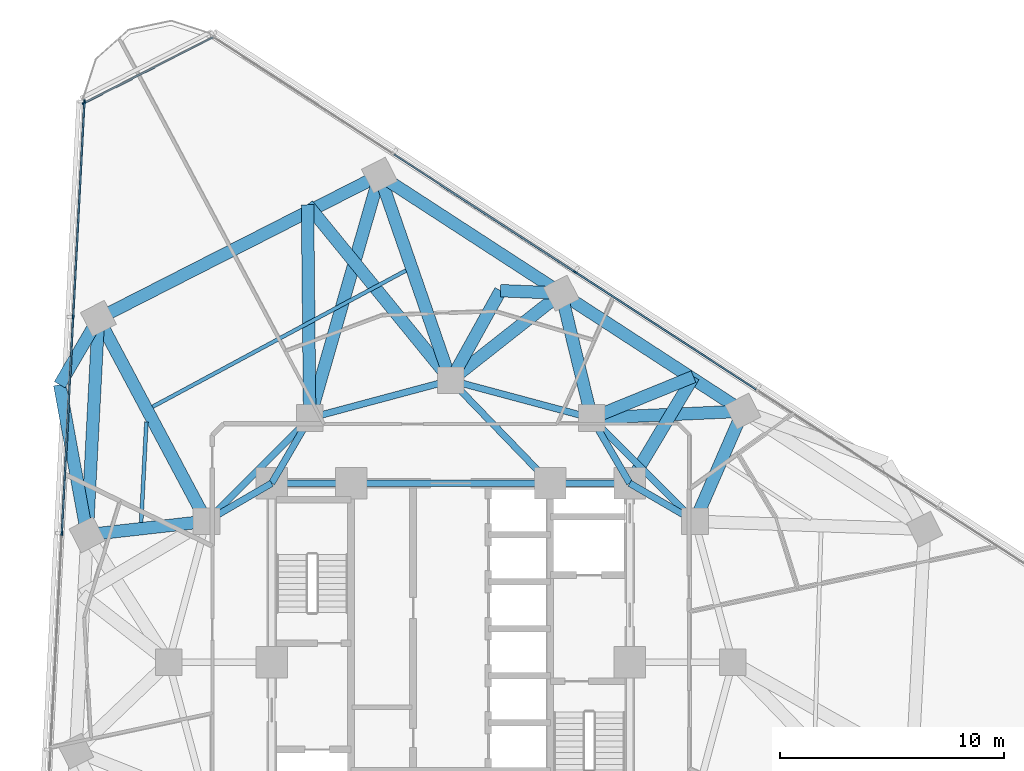
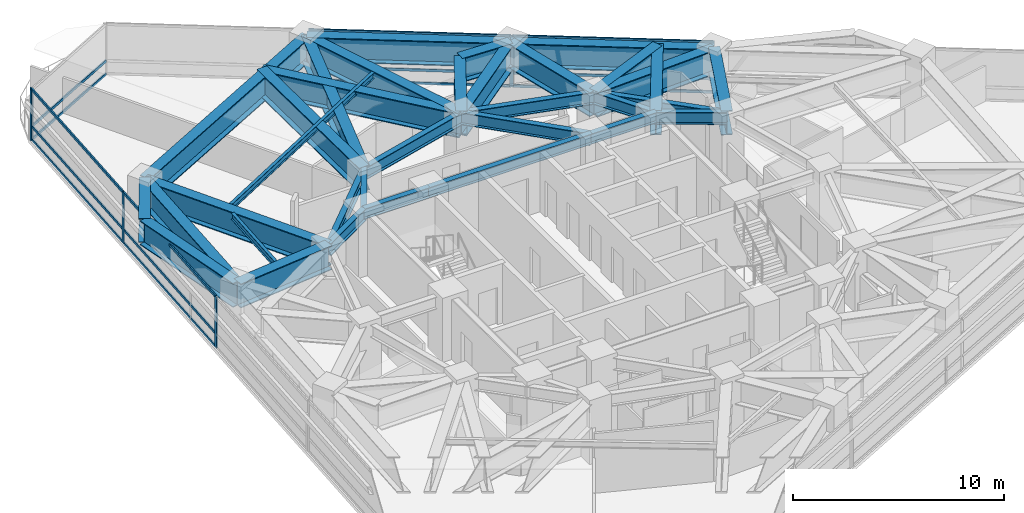
# One storey, part 5 of 15: 34 beams, 19 members, 3 elements without a shape of their own.
"""IFC4 building model written with IfcOpenShell, lengths in metres."""

from ifc_helpers import new_model, si_unit, direction, frame, origin, origin_2d, place, context, subcontext, project, spatial, rectangle, i_section, extrude, material, layer, layer_set, material_profile, profile_set, type_object, element, aggregate, save


model = new_model("IFC4")

# Units and contexts
model_context = context("Model", 3, precision=1e-05, world=origin(), true_north=direction((0.0, 1.0)))
body_context = subcontext(model_context, "Body", "Model", "MODEL_VIEW")
ifc_project = project(units=[si_unit("LENGTHUNIT", "METRE"), si_unit("AREAUNIT", "SQUARE_METRE"), si_unit("VOLUMEUNIT", "CUBIC_METRE"), si_unit("PLANEANGLEUNIT", "RADIAN"), si_unit("MASSUNIT", "GRAM", prefix="KILO")], contexts=[model_context])

# Site, building, storey
site_placement = place(None, origin())
site = spatial("IfcSite", under=ifc_project, at=site_placement, CompositionType="ELEMENT")
building_placement = place(site_placement, origin())
building = spatial("IfcBuilding", under=site, at=building_placement, Name="Terralouvre Media Tower", CompositionType="ELEMENT")
storey_placement = place(building_placement, frame((0.0, 0.0, 145.800048828125)))
storey = spatial("IfcBuildingStorey", under=building, at=storey_placement, Name="L37", CompositionType="ELEMENT", Elevation=145.800048828125)

# Beams
ifc_material_1 = material(Name="Structural steel S355J2", Category="steel")
ifc_material_profile_1 = material_profile(ifc_material_1, i_section(OverallWidth=0.169921875, OverallDepth=0.360107421875, WebThickness=0.008056640625, FlangeThickness=0.0126953125, at=origin_2d()), Name="IPE 360")
ifc_profile_set_1 = profile_set([ifc_material_profile_1], Name="Structural steel S355J2")
beam_type_1 = type_object("IfcBeamType", Name="Composite Floor Joist J-IPE360 (IPE 360)", PredefinedType="JOIST", material=ifc_profile_set_1)
beam_1_placement = place(storey_placement, frame((-1.99658203125, 17.507080078125, 3.280029296875), z_axis=(-0.880745901847, -0.473589121897, 0.0), x_axis=(0.473589121897, -0.880745901847, 0.0)))
element("IfcBeam", 1, at=beam_1_placement, inside=storey, type_object=beam_type_1, Name="L37 Framing Beam JT-L37-10", PredefinedType="JOIST", context=body_context, shape_type="SweptSolid", body=[
    extrude(i_section(OverallWidth=0.169921875, OverallDepth=0.360107421875, WebThickness=0.008056640625, FlangeThickness=0.0126953125, at=origin_2d()), origin(), (0.0, 0.0, 1.0), 12.85888671875),
])
beam_2_placement = place(storey_placement, frame((-13.59521484375, 10.745361328125, 3.280029296875), z_axis=(-0.05234246764, -0.998629193485, 0.0), x_axis=(0.998629193485, -0.05234246764, 0.0)))
element("IfcBeam", 2, at=beam_2_placement, inside=storey, type_object=beam_type_1, Name="L37 Framing Beam JT-L37-11", PredefinedType="JOIST", context=body_context, shape_type="SweptSolid", body=[
    extrude(i_section(OverallWidth=0.169921875, OverallDepth=0.360107421875, WebThickness=0.008056640625, FlangeThickness=0.0126953125, at=origin_2d()), origin(), (0.0, 0.0, 1.0), 4.5009765625),
])

# Curtain wall, members
ifc_material_2 = material(Name="Low-iron laminated double glazing with solar-control coating", Category="glass")
ifc_layer_1 = layer(ifc_material_2, 0.1650390625, Name="Production Studio Tower Curtain Wall CW-03")
ifc_layer_set_1 = layer_set([ifc_layer_1], Name="Low-iron laminated double glazing with solar-control coating")
curtain_wall_type_1 = type_object("IfcCurtainWallType", Name="Production Studio Tower Curtain Wall CW-03", PredefinedType="NOTDEFINED", material=ifc_layer_set_1)
curtain_wall_1_placement = place(storey_placement, origin())
curtain_wall_1 = element("IfcCurtainWall", 3, at=curtain_wall_1_placement, inside=storey, type_object=curtain_wall_type_1, Name="L37 Facade Curtain Wall F1", PredefinedType="NOTDEFINED")
ifc_material_3 = material(Name="Anodised extruded aluminium 6063-T6", Category="aluminium")
ifc_material_profile_2 = material_profile(ifc_material_3, rectangle(XDim=0.074951171875, YDim=0.14990234375, at=origin_2d()), Name="ALU 75x150")
ifc_profile_set_2 = profile_set([ifc_material_profile_2], Name="Anodised extruded aluminium 6063-T6")
member_type_1 = type_object("IfcMemberType", Name="Curtain-Wall Horizontal Transom TR-150", PredefinedType="USERDEFINED", material=ifc_profile_set_2)
member_1_placement = place(storey_placement, frame((13.6416015625, 12.1884765625, 0.037353515625), z_axis=(-0.838672931076, 0.544635396095, 0.0), x_axis=(-0.544635396095, -0.838672931076, 0.0)))
member_1 = element("IfcMember", 4, at=member_1_placement, type_object=member_type_1, Name="CW-03 transom 3.1", ObjectType="TRANSOM", PredefinedType="USERDEFINED", context=body_context, shape_type="SweptSolid", body=[
    extrude(rectangle(XDim=0.074951171875, YDim=0.14990234375, at=origin_2d()), origin(), (0.0, 0.0, 1.0), 9.60498046875),
])
member_2_placement = place(storey_placement, frame((13.6416015625, 12.1884765625, 0.800048828125), z_axis=(-0.838672931076, 0.544635396095, 0.0), x_axis=(-0.544635396095, -0.838672931076, 0.0)))
member_2 = element("IfcMember", 5, at=member_2_placement, type_object=member_type_1, Name="CW-03 transom 3.2", ObjectType="TRANSOM", PredefinedType="USERDEFINED", context=body_context, shape_type="SweptSolid", body=[
    extrude(rectangle(XDim=0.074951171875, YDim=0.14990234375, at=origin_2d()), origin(), (0.0, 0.0, 1.0), 9.60498046875),
])
member_3_placement = place(storey_placement, frame((13.6416015625, 12.1884765625, 2.92236328125), z_axis=(-0.838672931076, 0.544635396095, 0.0), x_axis=(-0.544635396095, -0.838672931076, 0.0)))
member_3 = element("IfcMember", 6, at=member_3_placement, type_object=member_type_1, Name="CW-03 transom 3.3", ObjectType="TRANSOM", PredefinedType="USERDEFINED", context=body_context, shape_type="SweptSolid", body=[
    extrude(rectangle(XDim=0.074951171875, YDim=0.14990234375, at=origin_2d()), origin(), (0.0, 0.0, 1.0), 9.60498046875),
])
member_4_placement = place(storey_placement, frame((5.523193359375, 17.460693359375, 0.037353515625), z_axis=(-0.838672931076, 0.544635396095, 0.0), x_axis=(-0.544635396095, -0.838672931076, 0.0)))
member_4 = element("IfcMember", 7, at=member_4_placement, type_object=member_type_1, Name="CW-03 transom 4.1", ObjectType="TRANSOM", PredefinedType="USERDEFINED", context=body_context, shape_type="SweptSolid", body=[
    extrude(rectangle(XDim=0.074951171875, YDim=0.14990234375, at=origin_2d()), origin(), (0.0, 0.0, 1.0), 9.60498046875),
])
member_5_placement = place(storey_placement, frame((5.523193359375, 17.460693359375, 0.800048828125), z_axis=(-0.838672931076, 0.544635396095, 0.0), x_axis=(-0.544635396095, -0.838672931076, 0.0)))
member_5 = element("IfcMember", 8, at=member_5_placement, type_object=member_type_1, Name="CW-03 transom 4.2", ObjectType="TRANSOM", PredefinedType="USERDEFINED", context=body_context, shape_type="SweptSolid", body=[
    extrude(rectangle(XDim=0.074951171875, YDim=0.14990234375, at=origin_2d()), origin(), (0.0, 0.0, 1.0), 9.60498046875),
])
member_6_placement = place(storey_placement, frame((5.523193359375, 17.460693359375, 2.92236328125), z_axis=(-0.838672931076, 0.544635396095, 0.0), x_axis=(-0.544635396095, -0.838672931076, 0.0)))
member_6 = element("IfcMember", 9, at=member_6_placement, type_object=member_type_1, Name="CW-03 transom 4.3", ObjectType="TRANSOM", PredefinedType="USERDEFINED", context=body_context, shape_type="SweptSolid", body=[
    extrude(rectangle(XDim=0.074951171875, YDim=0.14990234375, at=origin_2d()), origin(), (0.0, 0.0, 1.0), 9.60498046875),
])

curtain_wall_2_placement = place(storey_placement, origin())
curtain_wall_2 = element("IfcCurtainWall", 10, at=curtain_wall_2_placement, inside=storey, type_object=curtain_wall_type_1, Name="L37 Facade Curtain Wall F2", PredefinedType="NOTDEFINED")
member_7_placement = place(storey_placement, frame((-16.364990234375, 25.015869140625, 0.037353515625), z_axis=(-0.052336504837, -0.998629506004, 0.0), x_axis=(0.998629506004, -0.052336504837, 0.0)))
member_7 = element("IfcMember", 11, at=member_7_placement, type_object=member_type_1, Name="CW-03 transom 1.1", ObjectType="TRANSOM", PredefinedType="USERDEFINED", context=body_context, shape_type="SweptSolid", body=[
    extrude(rectangle(XDim=0.074951171875, YDim=0.14990234375, at=origin_2d()), origin(), (0.0, 0.0, 1.0), 9.567626953125),
])
member_8_placement = place(storey_placement, frame((-16.364990234375, 25.015869140625, 0.800048828125), z_axis=(-0.052336504837, -0.998629506004, 0.0), x_axis=(0.998629506004, -0.052336504837, 0.0)))
member_8 = element("IfcMember", 12, at=member_8_placement, type_object=member_type_1, Name="CW-03 transom 1.2", ObjectType="TRANSOM", PredefinedType="USERDEFINED", context=body_context, shape_type="SweptSolid", body=[
    extrude(rectangle(XDim=0.074951171875, YDim=0.14990234375, at=origin_2d()), origin(), (0.0, 0.0, 1.0), 9.567626953125),
])
member_9_placement = place(storey_placement, frame((-16.364990234375, 25.015869140625, 2.92236328125), z_axis=(-0.052336504837, -0.998629506004, 0.0), x_axis=(0.998629506004, -0.052336504837, 0.0)))
member_9 = element("IfcMember", 13, at=member_9_placement, type_object=member_type_1, Name="CW-03 transom 1.3", ObjectType="TRANSOM", PredefinedType="USERDEFINED", context=body_context, shape_type="SweptSolid", body=[
    extrude(rectangle(XDim=0.074951171875, YDim=0.14990234375, at=origin_2d()), origin(), (0.0, 0.0, 1.0), 9.567626953125),
])
member_10_placement = place(storey_placement, frame((-16.86962890625, 15.386474609375, 0.037353515625), z_axis=(-0.052336036535, -0.998629530547, 0.0), x_axis=(0.998629530547, -0.052336036535, 0.0)))
member_10 = element("IfcMember", 14, at=member_10_placement, type_object=member_type_1, Name="CW-03 transom 2.1", ObjectType="TRANSOM", PredefinedType="USERDEFINED", context=body_context, shape_type="SweptSolid", body=[
    extrude(rectangle(XDim=0.074951171875, YDim=0.14990234375, at=origin_2d()), origin(), (0.0, 0.0, 1.0), 9.60498046875),
])
member_11_placement = place(storey_placement, frame((-16.86962890625, 15.386474609375, 0.800048828125), z_axis=(-0.052336036535, -0.998629530547, 0.0), x_axis=(0.998629530547, -0.052336036535, 0.0)))
member_11 = element("IfcMember", 15, at=member_11_placement, type_object=member_type_1, Name="CW-03 transom 2.2", ObjectType="TRANSOM", PredefinedType="USERDEFINED", context=body_context, shape_type="SweptSolid", body=[
    extrude(rectangle(XDim=0.074951171875, YDim=0.14990234375, at=origin_2d()), origin(), (0.0, 0.0, 1.0), 9.60498046875),
])
member_12_placement = place(storey_placement, frame((-16.86962890625, 15.386474609375, 2.92236328125), z_axis=(-0.052336036535, -0.998629530547, 0.0), x_axis=(0.998629530547, -0.052336036535, 0.0)))
member_12 = element("IfcMember", 16, at=member_12_placement, type_object=member_type_1, Name="CW-03 transom 2.3", ObjectType="TRANSOM", PredefinedType="USERDEFINED", context=body_context, shape_type="SweptSolid", body=[
    extrude(rectangle(XDim=0.074951171875, YDim=0.14990234375, at=origin_2d()), origin(), (0.0, 0.0, 1.0), 9.60498046875),
])

ifc_material_4 = material(Name="Low-iron laminated double glazing with solar-control coating", Category="glass")
ifc_layer_2 = layer(ifc_material_4, 0.1650390625, Name="Rounded Wind-Corner Curved Glazing CW-04")
ifc_layer_set_2 = layer_set([ifc_layer_2], Name="Low-iron laminated double glazing with solar-control coating")
curtain_wall_type_2 = type_object("IfcCurtainWallType", Name="Rounded Wind-Corner Curved Glazing CW-04", PredefinedType="NOTDEFINED", material=ifc_layer_set_2)
curtain_wall_3_placement = place(storey_placement, origin())
curtain_wall_3 = element("IfcCurtainWall", 17, at=curtain_wall_3_placement, inside=storey, type_object=curtain_wall_type_2, Name="L37 Rounded Wind-Corner Curtain Wall C2", PredefinedType="NOTDEFINED")
member_13_placement = place(storey_placement, frame((-10.619873046875, 27.92626953125, 0.037353515625), z_axis=(-0.891007919555, -0.453987761167, 0.0), x_axis=(0.453987761167, -0.891007919555, 0.0)))
member_13 = element("IfcMember", 18, at=member_13_placement, type_object=member_type_1, Name="CW-04 transom 1.1", ObjectType="TRANSOM", PredefinedType="USERDEFINED", context=body_context, shape_type="SweptSolid", body=[
    extrude(rectangle(XDim=0.074951171875, YDim=0.14990234375, at=origin_2d()), origin(), (0.0, 0.0, 1.0), 6.431640625),
])
member_14_placement = place(storey_placement, frame((-10.619873046875, 27.92626953125, 0.800048828125), z_axis=(-0.891007919555, -0.453987761167, 0.0), x_axis=(0.453987761167, -0.891007919555, 0.0)))
member_14 = element("IfcMember", 19, at=member_14_placement, type_object=member_type_1, Name="CW-04 transom 1.2", ObjectType="TRANSOM", PredefinedType="USERDEFINED", context=body_context, shape_type="SweptSolid", body=[
    extrude(rectangle(XDim=0.074951171875, YDim=0.14990234375, at=origin_2d()), origin(), (0.0, 0.0, 1.0), 6.431640625),
])

# Member
ifc_material_5 = material(Name="Anodised extruded aluminium 6063-T6", Category="aluminium")
ifc_material_profile_3 = material_profile(ifc_material_5, rectangle(XDim=0.074951171875, YDim=0.179931640625, at=origin_2d()), Name="ALU 75x180")
ifc_profile_set_3 = profile_set([ifc_material_profile_3], Name="Anodised extruded aluminium 6063-T6")
member_type_2 = type_object("IfcMemberType", Name="Curtain-Wall Vertical Mullion ML-180", PredefinedType="MULLION", material=ifc_profile_set_3)
member_15_placement = place(storey_placement, frame((5.5546875, 17.440185546875, 0.0), z_axis=(0.0, 0.0, 1.0), x_axis=(-0.544639002681, -0.838670588944, 0.0)))
member_15 = element("IfcMember", 20, at=member_15_placement, type_object=member_type_2, Name="CW-03 mullion 4", PredefinedType="MULLION", context=body_context, shape_type="SweptSolid", body=[
    extrude(rectangle(XDim=0.074951171875, YDim=0.179931640625, at=origin_2d()), origin(), (0.0, 0.0, 1.0), 2.9599609375),
])

aggregate(curtain_wall_1, [member_15, member_1, member_2, member_3, member_4, member_5, member_6])

member_16_placement = place(storey_placement, frame((-16.363037109375, 25.05322265625, 0.0), z_axis=(0.0, 0.0, 1.0), x_axis=(0.998629535089, -0.052335949864, 0.0)))
member_16 = element("IfcMember", 21, at=member_16_placement, type_object=member_type_2, Name="CW-03 mullion 1", PredefinedType="MULLION", context=body_context, shape_type="SweptSolid", body=[
    extrude(rectangle(XDim=0.074951171875, YDim=0.179931640625, at=origin_2d()), origin(), (0.0, 0.0, 1.0), 2.9599609375),
])

member_17_placement = place(storey_placement, frame((-16.86767578125, 15.423828125, 0.0), z_axis=(0.0, 0.0, 1.0), x_axis=(0.998629535089, -0.052335949864, 0.0)))
member_17 = element("IfcMember", 22, at=member_17_placement, type_object=member_type_2, Name="CW-03 mullion 2", PredefinedType="MULLION", context=body_context, shape_type="SweptSolid", body=[
    extrude(rectangle(XDim=0.074951171875, YDim=0.179931640625, at=origin_2d()), origin(), (0.0, 0.0, 1.0), 2.9599609375),
])

member_18_placement = place(storey_placement, frame((-17.374267578125, 5.757080078125, 0.0), z_axis=(0.0, 0.0, 1.0), x_axis=(0.998629535089, -0.052335949864, 0.0)))
member_18 = element("IfcMember", 23, at=member_18_placement, type_object=member_type_2, Name="CW-03 mullion 3", PredefinedType="MULLION", context=body_context, shape_type="SweptSolid", body=[
    extrude(rectangle(XDim=0.074951171875, YDim=0.179931640625, at=origin_2d()), origin(), (0.0, 0.0, 1.0), 2.9599609375),
])

aggregate(curtain_wall_2, [member_16, member_17, member_18, member_7, member_8, member_9, member_10, member_11, member_12])

member_19_placement = place(storey_placement, frame((-16.384033203125, 24.9892578125, 0.0), z_axis=(0.0, 0.0, 1.0), x_axis=(0.45399035059, -0.891006600184, 0.0)))
member_19 = element("IfcMember", 24, at=member_19_placement, type_object=member_type_2, Name="CW-04 mullion 2", PredefinedType="MULLION", context=body_context, shape_type="SweptSolid", body=[
    extrude(rectangle(XDim=0.074951171875, YDim=0.179931640625, at=origin_2d()), origin(), (0.0, 0.0, 1.0), 2.9599609375),
])

aggregate(curtain_wall_3, [member_19, member_13, member_14])

# Beams
ifc_material_6 = material(Name="Structural steel S460M", Category="steel")
ifc_material_profile_4 = material_profile(ifc_material_6, i_section(OverallWidth=0.300048828125, OverallDepth=0.60009765625, WebThickness=0.015380859375, FlangeThickness=0.030029296875, at=origin_2d()), Name="HEB 600")
ifc_profile_set_4 = profile_set([ifc_material_profile_4], Name="Structural steel S460M")
beam_type_2 = type_object("IfcBeamType", Name="Primary Floor Girder B-HEB600 (HEB 600)", PredefinedType="BEAM", material=ifc_profile_set_4)
beam_3_placement = place(storey_placement, frame((8.0, 8.0, 3.159912109375), z_axis=(-1.0, 0.0, 0.0), x_axis=(0.0, -1.0, 0.0)))
element("IfcBeam", 25, at=beam_3_placement, inside=storey, type_object=beam_type_2, Name="L37 Framing Beam BM-L37-CPR06", PredefinedType="BEAM", context=body_context, shape_type="SweptSolid", body=[
    extrude(i_section(OverallWidth=0.300048828125, OverallDepth=0.60009765625, WebThickness=0.015380859375, FlangeThickness=0.030029296875, at=origin_2d()), origin(), (0.0, 0.0, 1.0), 3.550048828125),
])
beam_4_placement = place(storey_placement, frame((4.449951171875, 8.0, 3.159912109375), z_axis=(-1.0, 0.0, 0.0), x_axis=(0.0, -1.0, 0.0)))
element("IfcBeam", 26, at=beam_4_placement, inside=storey, type_object=beam_type_2, Name="L37 Framing Beam BM-L37-CPR07", PredefinedType="BEAM", context=body_context, shape_type="SweptSolid", body=[
    extrude(i_section(OverallWidth=0.300048828125, OverallDepth=0.60009765625, WebThickness=0.015380859375, FlangeThickness=0.030029296875, at=origin_2d()), origin(), (0.0, 0.0, 1.0), 8.89990234375),
])
beam_5_placement = place(storey_placement, frame((-4.449951171875, 8.0, 3.159912109375), z_axis=(-1.0, 0.0, 0.0), x_axis=(0.0, -1.0, 0.0)))
element("IfcBeam", 27, at=beam_5_placement, inside=storey, type_object=beam_type_2, Name="L37 Framing Beam BM-L37-CPR08", PredefinedType="BEAM", context=body_context, shape_type="SweptSolid", body=[
    extrude(i_section(OverallWidth=0.300048828125, OverallDepth=0.60009765625, WebThickness=0.015380859375, FlangeThickness=0.030029296875, at=origin_2d()), origin(), (0.0, 0.0, 1.0), 3.550048828125),
])
ifc_material_7 = material(Name="Structural steel S460M", Category="steel")
ifc_material_profile_5 = material_profile(ifc_material_7, i_section(OverallWidth=0.300048828125, OverallDepth=0.699951171875, WebThickness=0.01708984375, FlangeThickness=0.031982421875, at=origin_2d()), Name="HEB 700")
ifc_profile_set_5 = profile_set([ifc_material_profile_5], Name="Structural steel S460M")
beam_type_3 = type_object("IfcBeamType", Name="Primary Floor Girder B-HEB700 (HEB 700)", PredefinedType="BEAM", material=ifc_profile_set_5)
beam_6_placement = place(storey_placement, frame((10.911865234375, 6.300048828125, 3.10986328125), z_axis=(-0.707106781187, 0.707106781187, 0.0), x_axis=(-0.707106781187, -0.707106781187, 0.0)))
element("IfcBeam", 28, at=beam_6_placement, inside=storey, type_object=beam_type_3, Name="L37 Framing Beam BM-L37-MR07", PredefinedType="BEAM", context=body_context, shape_type="SweptSolid", body=[
    extrude(i_section(OverallWidth=0.300048828125, OverallDepth=0.699951171875, WebThickness=0.01708984375, FlangeThickness=0.031982421875, at=origin_2d()), origin(), (0.0, 0.0, 1.0), 6.52197265625),
])
for number, where, z_axis, x_axis, name in (
    (29, (6.300048828125, 10.911865234375, 3.10986328125), (-0.965920481897, 0.258838989821, 0.0), (-0.258838989821, -0.965920481897, 0.0), "L37 Framing Beam BM-L37-MR08"),
    (30, (0.0, 12.60009765625, 3.10986328125), (-0.965920481897, -0.258838989821, 0.0), (0.258838989821, -0.965920481897, 0.0), "L37 Framing Beam BM-L37-MR09"),
):
    element("IfcBeam", number, at=place(storey_placement, frame(where, z_axis=z_axis, x_axis=x_axis)), inside=storey, type_object=beam_type_3, Name=name, PredefinedType="BEAM", context=body_context, shape_type="SweptSolid", body=[
        extrude(i_section(OverallWidth=0.300048828125, OverallDepth=0.699951171875, WebThickness=0.01708984375, FlangeThickness=0.031982421875, at=origin_2d()), origin(), (0.0, 0.0, 1.0), 6.522216796875),
    ])
beam_7_placement = place(storey_placement, frame((-6.300048828125, 10.911865234375, 3.10986328125), z_axis=(-0.707106781187, -0.707106781187, 0.0), x_axis=(0.707106781187, -0.707106781187, 0.0)))
element("IfcBeam", 31, at=beam_7_placement, inside=storey, type_object=beam_type_3, Name="L37 Framing Beam BM-L37-MR10", PredefinedType="BEAM", context=body_context, shape_type="SweptSolid", body=[
    extrude(i_section(OverallWidth=0.300048828125, OverallDepth=0.699951171875, WebThickness=0.01708984375, FlangeThickness=0.031982421875, at=origin_2d()), origin(), (0.0, 0.0, 1.0), 6.52197265625),
])
for number, where, z_axis, x_axis, name in (
    (32, (8.0, 8.0, 3.10986328125), (0.863602894532, -0.504172629717, 0.0), (0.504172629717, 0.863602894532, 0.0), "L37 Framing Beam BM-L37-CM07"),
    (33, (8.0, 8.0, 3.10986328125), (-0.504172629717, 0.863602894532, 0.0), (-0.863602894532, -0.504172629717, 0.0), "L37 Framing Beam BM-L37-CM08"),
):
    element("IfcBeam", number, at=place(storey_placement, frame(where, z_axis=z_axis, x_axis=x_axis)), inside=storey, type_object=beam_type_3, Name=name, PredefinedType="BEAM", context=body_context, shape_type="SweptSolid", body=[
        extrude(i_section(OverallWidth=0.300048828125, OverallDepth=0.699951171875, WebThickness=0.01708984375, FlangeThickness=0.031982421875, at=origin_2d()), origin(), (0.0, 0.0, 1.0), 3.371826171875),
    ])
beam_8_placement = place(storey_placement, frame((4.449951171875, 8.0, 3.10986328125), z_axis=(-0.695279715726, 0.718739255155, 0.0), x_axis=(-0.718739255155, -0.695279715726, 0.0)))
element("IfcBeam", 34, at=beam_8_placement, inside=storey, type_object=beam_type_3, Name="L37 Framing Beam BM-L37-CM09", PredefinedType="BEAM", context=body_context, shape_type="SweptSolid", body=[
    extrude(i_section(OverallWidth=0.300048828125, OverallDepth=0.699951171875, WebThickness=0.01708984375, FlangeThickness=0.031982421875, at=origin_2d()), origin(), (0.0, 0.0, 1.0), 6.400146484375),
])
for number, where, z_axis, x_axis, name in (
    (35, (-8.0, 8.0, 3.10986328125), (0.504172629717, 0.863602894532, 0.0), (-0.863602894532, 0.504172629717, 0.0), "L37 Framing Beam BM-L37-CM10"),
    (36, (-8.0, 8.0, 3.10986328125), (-0.863602894532, -0.504172629717, 0.0), (0.504172629717, -0.863602894532, 0.0), "L37 Framing Beam BM-L37-CM11"),
):
    element("IfcBeam", number, at=place(storey_placement, frame(where, z_axis=z_axis, x_axis=x_axis)), inside=storey, type_object=beam_type_3, Name=name, PredefinedType="BEAM", context=body_context, shape_type="SweptSolid", body=[
        extrude(i_section(OverallWidth=0.300048828125, OverallDepth=0.699951171875, WebThickness=0.01708984375, FlangeThickness=0.031982421875, at=origin_2d()), origin(), (0.0, 0.0, 1.0), 3.371826171875),
    ])
ifc_material_8 = material(Name="Structural steel S460M", Category="steel")
ifc_material_profile_6 = material_profile(ifc_material_8, i_section(OverallWidth=0.56005859375, OverallDepth=1.39990234375, WebThickness=0.031982421875, FlangeThickness=0.050048828125, at=origin_2d()), Name="TG 1400x560")
ifc_profile_set_6 = profile_set([ifc_material_profile_6], Name="Structural steel S460M")
beam_type_4 = type_object("IfcBeamType", Name="Welded Transfer Girder TG-1400 (TG 1400x560)", PredefinedType="USERDEFINED", material=ifc_profile_set_6)
for number, where, z_axis, x_axis, name in (
    (37, (13.0576171875, 11.220458984375, 2.760009765625), (-0.838679216118, 0.544625717765, 0.0), (-0.544625717765, -0.838679216118, 0.0), "L37 Framing Beam BM-L37-PR08"),
    (38, (4.939208984375, 16.492431640625, 2.760009765625), (-0.838660214263, 0.544654977956, 0.0), (-0.544654977956, -0.838660214263, 0.0), "L37 Framing Beam BM-L37-PR09"),
):
    element("IfcBeam", number, at=place(storey_placement, frame(where, z_axis=z_axis, x_axis=x_axis)), inside=storey, type_object=beam_type_4, Name=name, ObjectType="TRANSFER GIRDER", PredefinedType="USERDEFINED", context=body_context, shape_type="SweptSolid", body=[
        extrude(i_section(OverallWidth=0.56005859375, OverallDepth=1.39990234375, WebThickness=0.031982421875, FlangeThickness=0.050048828125, at=origin_2d()), origin(), (0.0, 0.0, 1.0), 9.679931640625),
    ])
beam_9_placement = place(storey_placement, frame((-3.178955078125, 21.7646484375, 2.760009765625), z_axis=(-0.891003412269, -0.453996607173, 0.0), x_axis=(0.453996607173, -0.891003412269, 0.0)))
element("IfcBeam", 39, at=beam_9_placement, inside=storey, type_object=beam_type_4, Name="L37 Framing Beam BM-L37-PR10", ObjectType="TRANSFER GIRDER", PredefinedType="USERDEFINED", context=body_context, shape_type="SweptSolid", body=[
    extrude(i_section(OverallWidth=0.56005859375, OverallDepth=1.39990234375, WebThickness=0.031982421875, FlangeThickness=0.050048828125, at=origin_2d()), origin(), (0.0, 0.0, 1.0), 14.096923828125),
])
beam_10_placement = place(storey_placement, frame((-15.7392578125, 15.36474609375, 2.760009765625), z_axis=(-0.052333792648, -0.998629648141, 0.0), x_axis=(0.998629648141, -0.052333792648, 0.0)))
element("IfcBeam", 40, at=beam_10_placement, inside=storey, type_object=beam_type_4, Name="L37 Framing Beam BM-L37-PR11", ObjectType="TRANSFER GIRDER", PredefinedType="USERDEFINED", context=body_context, shape_type="SweptSolid", body=[
    extrude(i_section(OverallWidth=0.56005859375, OverallDepth=1.39990234375, WebThickness=0.031982421875, FlangeThickness=0.050048828125, at=origin_2d()), origin(), (0.0, 0.0, 1.0), 9.679931640625),
])
beam_11_placement = place(storey_placement, frame((10.911865234375, 6.300048828125, 2.760009765625), z_axis=(0.39973535277, 0.916630595031, 0.0), x_axis=(-0.916630595031, 0.39973535277, 0.0)))
element("IfcBeam", 41, at=beam_11_placement, inside=storey, type_object=beam_type_4, Name="L37 Framing Beam BM-L37-RD08", ObjectType="TRANSFER GIRDER", PredefinedType="USERDEFINED", context=body_context, shape_type="SweptSolid", body=[
    extrude(i_section(OverallWidth=0.56005859375, OverallDepth=1.39990234375, WebThickness=0.031982421875, FlangeThickness=0.050048828125, at=origin_2d()), origin(), (0.0, 0.0, 1.0), 5.367919921875),
])
beam_12_placement = place(storey_placement, frame((6.300048828125, 10.911865234375, 2.760009765625), z_axis=(-0.23691117125, 0.971531315469, 0.0), x_axis=(-0.971531315469, -0.23691117125, 0.0)))
element("IfcBeam", 42, at=beam_12_placement, inside=storey, type_object=beam_type_4, Name="L37 Framing Beam BM-L37-RD09", ObjectType="TRANSFER GIRDER", PredefinedType="USERDEFINED", context=body_context, shape_type="SweptSolid", body=[
    extrude(i_section(OverallWidth=0.56005859375, OverallDepth=1.39990234375, WebThickness=0.031982421875, FlangeThickness=0.050048828125, at=origin_2d()), origin(), (0.0, 0.0, 1.0), 5.744140625),
])
beam_13_placement = place(storey_placement, frame((0.0, 12.60009765625, 2.760009765625), z_axis=(-0.327719061781, 0.944775220116, 0.0), x_axis=(-0.944775220116, -0.327719061781, 0.0)))
element("IfcBeam", 43, at=beam_13_placement, inside=storey, type_object=beam_type_4, Name="L37 Framing Beam BM-L37-RD10", ObjectType="TRANSFER GIRDER", PredefinedType="USERDEFINED", context=body_context, shape_type="SweptSolid", body=[
    extrude(i_section(OverallWidth=0.56005859375, OverallDepth=1.39990234375, WebThickness=0.031982421875, FlangeThickness=0.050048828125, at=origin_2d()), origin(), (0.0, 0.0, 1.0), 9.7001953125),
])
beam_14_placement = place(storey_placement, frame((-10.911865234375, 6.300048828125, 2.760009765625), z_axis=(-0.470048953024, 0.882640346778, 0.0), x_axis=(-0.882640346778, -0.470048953024, 0.0)))
element("IfcBeam", 44, at=beam_14_placement, inside=storey, type_object=beam_type_4, Name="L37 Framing Beam BM-L37-RD11", ObjectType="TRANSFER GIRDER", PredefinedType="USERDEFINED", context=body_context, shape_type="SweptSolid", body=[
    extrude(i_section(OverallWidth=0.56005859375, OverallDepth=1.39990234375, WebThickness=0.031982421875, FlangeThickness=0.050048828125, at=origin_2d()), origin(), (0.0, 0.0, 1.0), 10.27001953125),
])
beam_15_placement = place(storey_placement, frame((-10.911865234375, 6.300048828125, 2.760009765625), z_axis=(-0.993690322099, -0.112158565283, 0.0), x_axis=(0.112158565283, -0.993690322099, 0.0)))
element("IfcBeam", 45, at=beam_15_placement, inside=storey, type_object=beam_type_4, Name="L37 Framing Beam BM-L37-RD12", ObjectType="TRANSFER GIRDER", PredefinedType="USERDEFINED", context=body_context, shape_type="SweptSolid", body=[
    extrude(i_section(OverallWidth=0.56005859375, OverallDepth=1.39990234375, WebThickness=0.031982421875, FlangeThickness=0.050048828125, at=origin_2d()), origin(), (0.0, 0.0, 1.0), 5.367919921875),
])
beam_16_placement = place(storey_placement, frame((13.0576171875, 11.220458984375, 2.760009765625), z_axis=(-0.998958918463, -0.045618847247, 0.0), x_axis=(0.045618847247, -0.998958918463, 0.0)))
element("IfcBeam", 46, at=beam_16_placement, inside=storey, type_object=beam_type_4, Name="L37 Framing Beam BM-L37-TRC06", ObjectType="TRANSFER GIRDER", PredefinedType="USERDEFINED", context=body_context, shape_type="SweptSolid", body=[
    extrude(i_section(OverallWidth=0.56005859375, OverallDepth=1.39990234375, WebThickness=0.031982421875, FlangeThickness=0.050048828125, at=origin_2d()), origin(), (0.0, 0.0, 1.0), 6.7646484375),
])
beam_17_placement = place(storey_placement, frame((10.850341796875, 12.765869140625, 2.760009765625), z_axis=(-0.926079498884, -0.377328453403, 0.0), x_axis=(0.377328453403, -0.926079498884, 0.0)))
element("IfcBeam", 47, at=beam_17_placement, inside=storey, type_object=beam_type_4, Name="L37 Framing Beam BM-L37-TR06S1", ObjectType="TRANSFER GIRDER", PredefinedType="USERDEFINED", context=body_context, shape_type="SweptSolid", body=[
    extrude(i_section(OverallWidth=0.56005859375, OverallDepth=1.39990234375, WebThickness=0.031982421875, FlangeThickness=0.050048828125, at=origin_2d()), origin(), (0.0, 0.0, 1.0), 4.91357421875),
])
beam_18_placement = place(storey_placement, frame((10.850341796875, 12.765869140625, 2.760009765625), z_axis=(-0.513279763112, -0.858221349525, 0.0), x_axis=(0.858221349525, -0.513279763112, 0.0)))
element("IfcBeam", 48, at=beam_18_placement, inside=storey, type_object=beam_type_4, Name="L37 Framing Beam BM-L37-TR06S2", ObjectType="TRANSFER GIRDER", PredefinedType="USERDEFINED", context=body_context, shape_type="SweptSolid", body=[
    extrude(i_section(OverallWidth=0.56005859375, OverallDepth=1.39990234375, WebThickness=0.031982421875, FlangeThickness=0.050048828125, at=origin_2d()), origin(), (0.0, 0.0, 1.0), 5.55322265625),
])
beam_19_placement = place(storey_placement, frame((4.939208984375, 16.492431640625, 2.760009765625), z_axis=(-0.785427043685, -0.618954246328, 0.0), x_axis=(0.618954246328, -0.785427043685, 0.0)))
element("IfcBeam", 49, at=beam_19_placement, inside=storey, type_object=beam_type_4, Name="L37 Framing Beam BM-L37-TRC07", ObjectType="TRANSFER GIRDER", PredefinedType="USERDEFINED", context=body_context, shape_type="SweptSolid", body=[
    extrude(i_section(OverallWidth=0.56005859375, OverallDepth=1.39990234375, WebThickness=0.031982421875, FlangeThickness=0.050048828125, at=origin_2d()), origin(), (0.0, 0.0, 1.0), 6.28857421875),
])
beam_20_placement = place(storey_placement, frame((2.2265625, 16.60546875, 2.760009765625), z_axis=(0.99913291724, -0.041634285004, 0.0), x_axis=(0.041634285004, 0.99913291724, 0.0)))
element("IfcBeam", 50, at=beam_20_placement, inside=storey, type_object=beam_type_4, Name="L37 Framing Beam BM-L37-TR07S1", ObjectType="TRANSFER GIRDER", PredefinedType="USERDEFINED", context=body_context, shape_type="SweptSolid", body=[
    extrude(i_section(OverallWidth=0.56005859375, OverallDepth=1.39990234375, WebThickness=0.031982421875, FlangeThickness=0.050048828125, at=origin_2d()), origin(), (0.0, 0.0, 1.0), 2.715087890625),
])
beam_21_placement = place(storey_placement, frame((2.2265625, 16.60546875, 2.760009765625), z_axis=(-0.485869082881, -0.874031597999, 0.0), x_axis=(0.874031597999, -0.485869082881, 0.0)))
element("IfcBeam", 51, at=beam_21_placement, inside=storey, type_object=beam_type_4, Name="L37 Framing Beam BM-L37-TR07S2", ObjectType="TRANSFER GIRDER", PredefinedType="USERDEFINED", context=body_context, shape_type="SweptSolid", body=[
    extrude(i_section(OverallWidth=0.56005859375, OverallDepth=1.39990234375, WebThickness=0.031982421875, FlangeThickness=0.050048828125, at=origin_2d()), origin(), (0.0, 0.0, 1.0), 4.58251953125),
])
beam_22_placement = place(storey_placement, frame((-3.178955078125, 21.7646484375, 2.760009765625), z_axis=(-0.276382556873, -0.961047700302, 0.0), x_axis=(0.961047700302, -0.276382556873, 0.0)))
element("IfcBeam", 52, at=beam_22_placement, inside=storey, type_object=beam_type_4, Name="L37 Framing Beam BM-L37-TRC08", ObjectType="TRANSFER GIRDER", PredefinedType="USERDEFINED", context=body_context, shape_type="SweptSolid", body=[
    extrude(i_section(OverallWidth=0.56005859375, OverallDepth=1.39990234375, WebThickness=0.031982421875, FlangeThickness=0.050048828125, at=origin_2d()), origin(), (0.0, 0.0, 1.0), 11.292724609375),
])
beam_23_placement = place(storey_placement, frame((-6.397216796875, 20.445068359375, 2.760009765625), z_axis=(0.010192054081, -0.999948059668, 0.0), x_axis=(0.999948059668, 0.010192054081, 0.0)))
element("IfcBeam", 53, at=beam_23_placement, inside=storey, type_object=beam_type_4, Name="L37 Framing Beam BM-L37-TR08S1", ObjectType="TRANSFER GIRDER", PredefinedType="USERDEFINED", context=body_context, shape_type="SweptSolid", body=[
    extrude(i_section(OverallWidth=0.56005859375, OverallDepth=1.39990234375, WebThickness=0.031982421875, FlangeThickness=0.050048828125, at=origin_2d()), origin(), (0.0, 0.0, 1.0), 9.53369140625),
])
beam_24_placement = place(storey_placement, frame((-6.397216796875, 20.445068359375, 2.760009765625), z_axis=(0.631970853541, -0.774992154976, 0.0), x_axis=(0.774992154976, 0.631970853541, 0.0)))
element("IfcBeam", 54, at=beam_24_placement, inside=storey, type_object=beam_type_4, Name="L37 Framing Beam BM-L37-TR08S2", ObjectType="TRANSFER GIRDER", PredefinedType="USERDEFINED", context=body_context, shape_type="SweptSolid", body=[
    extrude(i_section(OverallWidth=0.56005859375, OverallDepth=1.39990234375, WebThickness=0.031982421875, FlangeThickness=0.050048828125, at=origin_2d()), origin(), (0.0, 0.0, 1.0), 10.12255859375),
])
beam_25_placement = place(storey_placement, frame((-17.467529296875, 12.402099609375, 2.760009765625), z_axis=(0.503884302592, 0.863771155806, 0.0), x_axis=(-0.863771155806, 0.503884302592, 0.0)))
element("IfcBeam", 55, at=beam_25_placement, inside=storey, type_object=beam_type_4, Name="L37 Framing Beam BM-L37-TR09S1", ObjectType="TRANSFER GIRDER", PredefinedType="USERDEFINED", context=body_context, shape_type="SweptSolid", body=[
    extrude(i_section(OverallWidth=0.56005859375, OverallDepth=1.39990234375, WebThickness=0.031982421875, FlangeThickness=0.050048828125, at=origin_2d()), origin(), (0.0, 0.0, 1.0), 3.429931640625),
])
beam_26_placement = place(storey_placement, frame((-17.467529296875, 12.402099609375, 2.760009765625), z_axis=(0.179276364063, -0.983798752433, 0.0), x_axis=(0.983798752433, 0.179276364063, 0.0)))
element("IfcBeam", 56, at=beam_26_placement, inside=storey, type_object=beam_type_4, Name="L37 Framing Beam BM-L37-TR09S2", ObjectType="TRANSFER GIRDER", PredefinedType="USERDEFINED", context=body_context, shape_type="SweptSolid", body=[
    extrude(i_section(OverallWidth=0.56005859375, OverallDepth=1.39990234375, WebThickness=0.031982421875, FlangeThickness=0.050048828125, at=origin_2d()), origin(), (0.0, 0.0, 1.0), 6.814453125),
])

save(model, "model.ifc")
